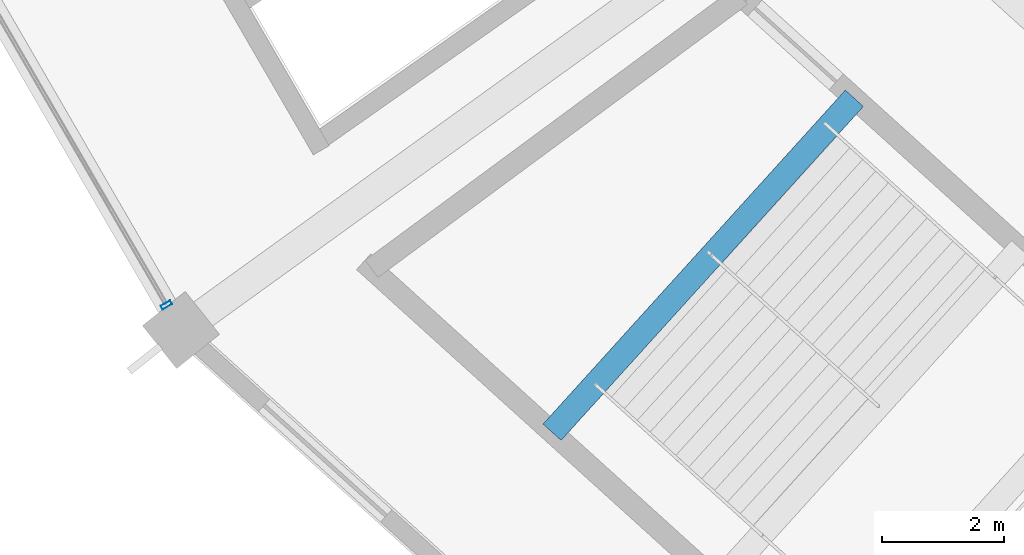
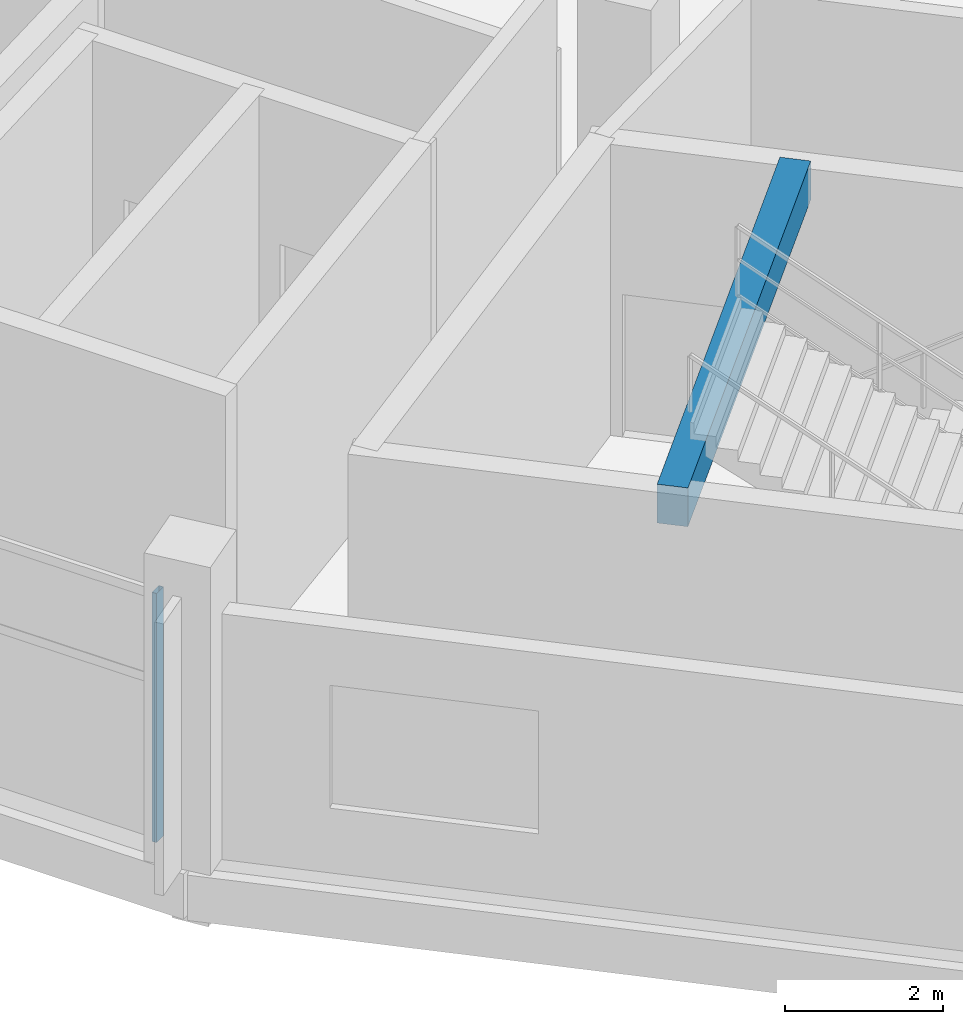
# One storey, part 2 of 156: 1 beam, 1 member, 1 element without a shape of its own.
"""IFC4 building model written with IfcOpenShell, lengths in metres."""

from ifc_helpers import new_model, si_unit, direction, frame, origin, origin_2d, place, context, subcontext, project, spatial, rectangle, hollow_rectangle, extrude, material, layer, layer_set, material_profile, profile_set, type_object, element, aggregate, save


model = new_model("IFC4")

# Units and contexts
model_context = context("Model", 3, precision=1e-05, world=origin(), true_north=direction((0.0, 1.0)))
body_context = subcontext(model_context, "Body", "Model", "MODEL_VIEW")
ifc_project = project(units=[si_unit("LENGTHUNIT", "METRE"), si_unit("AREAUNIT", "SQUARE_METRE"), si_unit("VOLUMEUNIT", "CUBIC_METRE"), si_unit("PLANEANGLEUNIT", "RADIAN"), si_unit("MASSUNIT", "GRAM", prefix="KILO")], contexts=[model_context])

# Site, building, storey
site_placement = place(None, origin())
site = spatial("IfcSite", under=ifc_project, at=site_placement, CompositionType="ELEMENT")
building_placement = place(site_placement, origin())
building = spatial("IfcBuilding", under=site, at=building_placement, Name="Kazemori Nagisa Stadium", CompositionType="ELEMENT")
storey_placement = place(building_placement, frame((0.0, 0.0, 5.780029296875)))
storey = spatial("IfcBuildingStorey", under=building, at=storey_placement, Name="L01", CompositionType="ELEMENT", Elevation=5.780029296875)

# Beam
ifc_material_1 = material(Name="Concrete C40/50 (Fc42)", Category="concrete")
ifc_material_profile_1 = material_profile(ifc_material_1, rectangle(XDim=0.39990234375, YDim=0.60009765625, at=origin_2d()), Name="RC-BM-400x600")
ifc_profile_set_1 = profile_set([ifc_material_profile_1], Name="Concrete C40/50 (Fc42)")
beam_type = type_object("IfcBeamType", Name="Beam_BG-LND400X600", PredefinedType="BEAM", material=ifc_profile_set_1)
beam_placement = place(storey_placement, frame((55.545654296875, 49.1318359375, 4.199951171875), z_axis=(-0.671129682405, -0.741339968837, 0.0), x_axis=(0.741339968837, -0.671129682405, 0.0)))
element("IfcBeam", 1, at=beam_placement, inside=storey, type_object=beam_type, Name="Core stair arrival header girder ST03-L01", PredefinedType="BEAM", context=body_context, shape_type="SweptSolid", body=[
    extrude(rectangle(XDim=0.39990234375, YDim=0.60009765625, at=origin_2d()), origin(), (0.0, 0.0, 1.0), 7.3857421875),
])

# Curtain wall, member
ifc_material_2 = material(Name="Anodised aluminium 6063-T5", Category="aluminium")
ifc_layer = layer(ifc_material_2, 0.179931640625, Name="Anodised aluminium 6063-T5", Category="aluminium")
ifc_layer_set = layer_set([ifc_layer], Name="Anodised aluminium 6063-T5")
curtain_wall_type = type_object("IfcCurtainWallType", Name="CW_L01R3_99", PredefinedType="USERDEFINED", material=ifc_layer_set)
curtain_wall_placement = place(storey_placement, origin())
curtain_wall = element("IfcCurtainWall", 2, at=curtain_wall_placement, inside=storey, type_object=curtain_wall_type, Name="Unitised curtain wall CW-L01R3-99 L01", ObjectType="UNITISED CURTAIN WALL", PredefinedType="USERDEFINED")
ifc_material_3 = material(Name="Aluminium 6063-T5 anodised", Category="aluminium")
ifc_material_profile_2 = material_profile(ifc_material_3, hollow_rectangle(XDim=0.070068359375, YDim=0.179931640625, WallThickness=0.00390625, at=origin_2d()), Name="ALU-MULL-70x180x4")
ifc_profile_set_2 = profile_set([ifc_material_profile_2], Name="Aluminium 6063-T5 anodised")
member_type = type_object("IfcMemberType", Name="Mullion_M01", PredefinedType="MULLION", material=ifc_profile_set_2)
member_placement = place(storey_placement, frame((44.266357421875, 45.7431640625, 0.0), z_axis=(0.0, 0.0, 1.0), x_axis=(0.501611590054, -0.865092950337, 0.0)))
member = element("IfcMember", 3, at=member_placement, type_object=member_type, Name="Curtain wall mullion CW-L01R3-99-M4", PredefinedType="MULLION", context=body_context, shape_type="SweptSolid", body=[
    extrude(hollow_rectangle(XDim=0.070068359375, YDim=0.179931640625, WallThickness=0.00390625, at=origin_2d()), origin(), (0.0, 0.0, 1.0), 3.849853515625),
])
aggregate(curtain_wall, [member])

save(model, "model.ifc")
